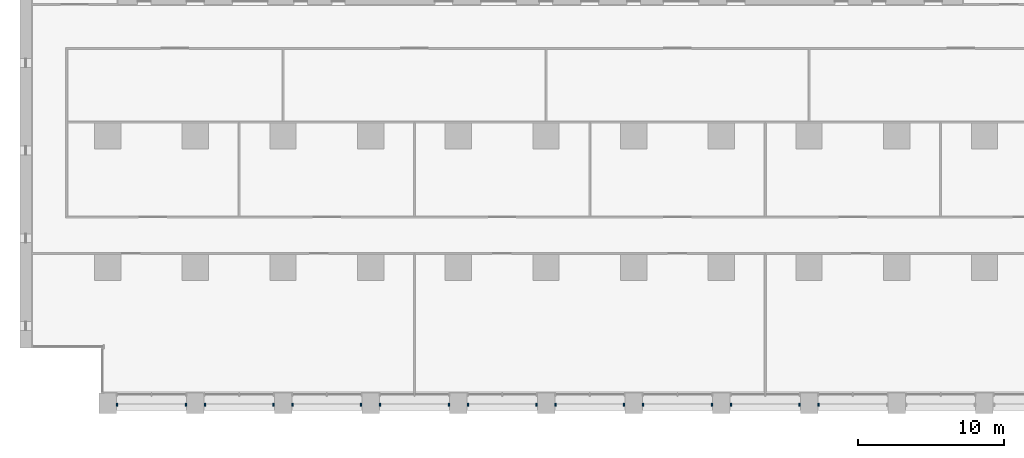
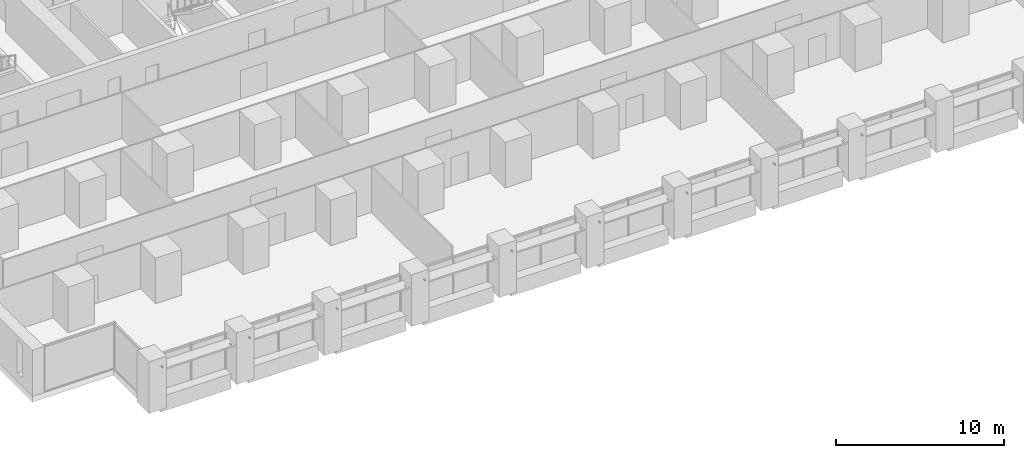
# One storey, part 15 of 18: 17 discrete accessories.
"""IFC4 building model written with IfcOpenShell, lengths in metres."""

import ifcopenshell
import ifcopenshell.guid

model = None  # the IFC model being written
_history = None  # IfcOwnerHistory: only IFC2X3 demands one
_inside = {}  # id of a spatial element -> (the spatial element, [elements in it])
_under = {}  # id of a project, library or spatial element -> (it, [spatial elements below it])
_declared = {}  # id of a project -> (the project, [libraries it declares])
_typed = {}  # id of a type object -> (the type object, [elements of that type])
_made_of = {}  # id of a material, layer set ... -> (it, [elements and type objects made of it])


def new_model(schema):
    """Start an empty IFC model of exactly this schema.

    Asked for "IFC4X3", IfcOpenShell would pick the latest addendum, in which some entities
    have other attributes; the version numbers below select the first issue.
    IFC2X3 requires an IfcOwnerHistory on every rooted entity: one is made here for all.
    """
    global model, _history
    if schema == "IFC4X3":
        model = ifcopenshell.file(schema_version=(4, 3, 0, 0))
    else:
        model = ifcopenshell.file(schema=schema)
    _inside.clear()
    _under.clear()
    _declared.clear()
    _typed.clear()
    _made_of.clear()
    _history = None
    if model.schema == "IFC2X3":
        org = make("IfcOrganization", Name="unknown")
        user = make(
            "IfcPersonAndOrganization",
            ThePerson=make("IfcPerson", FamilyName="unknown"),
            TheOrganization=org,
        )
        app = make(
            "IfcApplication",
            ApplicationDeveloper=org,
            Version="unknown",
            ApplicationFullName="unknown",
            ApplicationIdentifier="unknown",
        )
        _history = make(
            "IfcOwnerHistory",
            OwningUser=user,
            OwningApplication=app,
            ChangeAction="ADDED",
            CreationDate=0,
        )
    return model


def make(cls, **values):
    """One entity of the class cls with the attributes given. An attribute that is None is left unset."""
    return model.create_entity(
        cls, **{name: value for name, value in values.items() if value is not None}
    )


def rooted(cls, **values):
    """An entity with a GlobalId (a new one), such as an element, a storey or a relation."""
    return make(cls, GlobalId=ifcopenshell.guid.new(), OwnerHistory=_history, **values)


def si_unit(unit_type, name, prefix=None):
    """IfcSIUnit, for example si_unit("LENGTHUNIT", "METRE", prefix="MILLI")."""
    return make("IfcSIUnit", UnitType=unit_type, Prefix=prefix, Name=name)


def assignment(units):
    """IfcUnitAssignment: the units of a project."""
    return None if units is None else make("IfcUnitAssignment", Units=units)


def point(xyz):
    """IfcCartesianPoint."""
    return None if xyz is None else make("IfcCartesianPoint", Coordinates=xyz)


def direction(xyz):
    """IfcDirection."""
    return None if xyz is None else make("IfcDirection", DirectionRatios=xyz)


def frame(location, z_axis=None, x_axis=None):
    """IfcAxis2Placement3D, a coordinate frame: its origin and axes. An axis left out is left unset."""
    return make(
        "IfcAxis2Placement3D",
        Location=point(location),
        Axis=direction(z_axis),
        RefDirection=direction(x_axis),
    )


def frame_2d(location, x_axis=None):
    """IfcAxis2Placement2D, a coordinate frame in the plane: its origin and x axis."""
    return make(
        "IfcAxis2Placement2D", Location=point(location), RefDirection=direction(x_axis)
    )


def origin():
    """The frame at (0, 0, 0) with its axes left unset."""
    return frame((0.0, 0.0, 0.0))


def origin_2d():
    """The frame at (0, 0) in the plane with its x axis left unset."""
    return frame_2d((0.0, 0.0))


def place(relative_to, where):
    """IfcLocalPlacement: puts the frame where relative to a parent placement (None: the world)."""
    return make(
        "IfcLocalPlacement", PlacementRelTo=relative_to, RelativePlacement=where
    )


def context(
    kind, dimensions, precision=None, world=None, true_north=None, identifier=None
):
    """IfcGeometricRepresentationContext, for example the 3D "Model" context."""
    return make(
        "IfcGeometricRepresentationContext",
        ContextIdentifier=identifier,
        ContextType=kind,
        CoordinateSpaceDimension=dimensions,
        Precision=precision,
        WorldCoordinateSystem=world,
        TrueNorth=true_north,
    )


def subcontext(parent, identifier, kind, view, scale=None):
    """IfcGeometricRepresentationSubContext, for example "Body" below "Model"."""
    return make(
        "IfcGeometricRepresentationSubContext",
        ContextIdentifier=identifier,
        ContextType=kind,
        ParentContext=parent,
        TargetScale=scale,
        TargetView=view,
    )


def project(units=None, contexts=None):
    """IfcProject with its units and contexts."""
    return rooted(
        "IfcProject",
        Name="project",
        RepresentationContexts=contexts,
        UnitsInContext=assignment(units),
    )


def spatial(cls, under=None, at=None, **own):
    """A site, building, storey or space (cls), placed at a placement, below another one or the project."""
    s = rooted(cls, ObjectPlacement=at, **own)
    if under is not None:
        _under.setdefault(under.id(), (under, []))[1].append(s)
    return s


def profile(cls, at=None, kind="AREA", **sizes):
    """A parametric profile (cls). Its sizes go by their IFC names, for example OverallWidth=200.0."""
    return make(cls, ProfileType=kind, Position=at, **sizes)


def rectangle(**sizes):
    """IfcRectangleProfileDef."""
    return profile("IfcRectangleProfileDef", **sizes)


def extrude(swept, where, along, depth):
    """IfcExtrudedAreaSolid: the profile swept, set in the frame where, extruded along a direction by depth."""
    return make(
        "IfcExtrudedAreaSolid",
        SweptArea=swept,
        Position=where,
        ExtrudedDirection=direction(along),
        Depth=depth,
    )


def shape(context_of_items, identifier, shape_type, items):
    """IfcShapeRepresentation: the items that make up one representation, for example the "Body"."""
    return make(
        "IfcShapeRepresentation",
        ContextOfItems=context_of_items,
        RepresentationIdentifier=identifier,
        RepresentationType=shape_type,
        Items=items,
    )


def made_of(thing, what):
    """Note that an element or type object is made of a material, layer set ...; save() writes the relation."""
    if what is not None:
        _made_of.setdefault(what.id(), (what, []))[1].append(thing)
    return thing


def element(
    cls,
    number,
    at=None,
    inside=None,
    cuts=None,
    type_object=None,
    material=None,
    context=None,
    identifier="Body",
    shape_type=None,
    held_by="IfcProductDefinitionShape",
    body=None,
    shapes=None,
    **own,
):
    """One element of the class cls, such as IfcWall. Its Tag is "e" and its number.

    at: its placement. inside: the storey or other place that contains it. cuts: it is an
    opening in that element (IfcRelVoidsElement). A single representation is given by context,
    identifier, shape_type and body (its items); several are given by shapes. held_by: the class
    of the entity that holds the representations. save() writes the other relations.
    """
    e = rooted(cls, Tag="e%d" % number, ObjectPlacement=at, **own)
    if body is not None:
        shapes = [shape(context, identifier, shape_type, body)]
    if shapes is not None:
        e.Representation = make(held_by, Representations=shapes)
    if inside is not None:
        _inside.setdefault(inside.id(), (inside, []))[1].append(e)
    if cuts is not None:
        rooted(
            "IfcRelVoidsElement", RelatingBuildingElement=cuts, RelatedOpeningElement=e
        )
    if type_object is not None:
        _typed.setdefault(type_object.id(), (type_object, []))[1].append(e)
    return made_of(e, material)


def aggregate(whole, parts):
    """IfcRelAggregates: a whole, such as a stair, and the parts it consists of."""
    return rooted("IfcRelAggregates", RelatingObject=whole, RelatedObjects=parts)


def save(model, path):
    """Write the relations noted so far, then the file.

    IfcRelAggregates (storeys below a building ...), IfcRelContainedInSpatialStructure (elements
    in a storey), IfcRelDefinesByType, IfcRelAssociatesMaterial and IfcRelDeclares: one each for
    every whole, place, type object, material and project.
    """
    for whole, parts in _under.values():
        aggregate(whole, parts)
    for where, things in _inside.values():
        rooted(
            "IfcRelContainedInSpatialStructure",
            RelatedElements=things,
            RelatingStructure=where,
        )
    for kind, things in _typed.values():
        rooted("IfcRelDefinesByType", RelatedObjects=things, RelatingType=kind)
    for what, things in _made_of.values():
        rooted("IfcRelAssociatesMaterial", RelatedObjects=things, RelatingMaterial=what)
    for by, libraries in _declared.values():
        rooted("IfcRelDeclares", RelatingContext=by, RelatedDefinitions=libraries)
    model.write(path)


model = new_model("IFC4")

# Units and contexts
model_context = context("Model", 3, precision=1e-05, world=origin(), true_north=direction((0.0, 1.0)))
body_context = subcontext(model_context, "Body", "Model", "MODEL_VIEW")
ifc_project = project(units=[si_unit("LENGTHUNIT", "METRE"), si_unit("AREAUNIT", "SQUARE_METRE"), si_unit("VOLUMEUNIT", "CUBIC_METRE"), si_unit("PLANEANGLEUNIT", "RADIAN"), si_unit("MASSUNIT", "GRAM", prefix="KILO")], contexts=[model_context])

# Site, building, storey
site_placement = place(None, origin())
site = spatial("IfcSite", under=ifc_project, at=site_placement, CompositionType="ELEMENT")
building_placement = place(site_placement, origin())
building = spatial("IfcBuilding", under=site, at=building_placement, Name="Calvaro Tower", CompositionType="ELEMENT")
storey_placement = place(building_placement, frame((0.0, 0.0, 33.75)))
storey = spatial("IfcBuildingStorey", under=building, at=storey_placement, Name="L07", CompositionType="ELEMENT", Elevation=33.75)

# Discrete accessories
for number, where, z_axis, x_axis, name in (
    (1, (6.64990234375, 0.60009765625, 2.14990234375), (0.0, 0.0, 1.0), (1.0, 0.0, 0.0), "Brise-soleil bracket"),
    (2, (11.35009765625, 0.60009765625, 2.14990234375), (0.0, 0.0, 1.0), (1.0, 0.0, 0.0), "Brise-soleil bracket"),
    (3, (12.64990234375, 0.60009765625, 2.14990234375), (0.0, 0.0, 1.0), (1.0, 0.0, 0.0), "Brise-soleil bracket"),
    (4, (17.35009765625, 0.60009765625, 2.14990234375), (0.0, 0.0, 1.0), (1.0, 0.0, 0.0), "Brise-soleil bracket"),
    (5, (18.64990234375, 0.60009765625, 2.14990234375), (0.0, 0.0, 1.0), (1.0, 0.0, 0.0), "Brise-soleil bracket"),
    (6, (23.35009765625, 0.60009765625, 2.14990234375), (0.0, 0.0, 1.0), (1.0, 0.0, 0.0), "Brise-soleil bracket"),
    (7, (24.64990234375, 0.60009765625, 2.14990234375), (0.0, 0.0, 1.0), (1.0, 0.0, 0.0), "Brise-soleil bracket"),
    (8, (29.35009765625, 0.60009765625, 2.14990234375), (0.0, 0.0, 1.0), (1.0, 0.0, 0.0), "Brise-soleil bracket"),
    (9, (30.64990234375, 0.60009765625, 2.14990234375), (0.0, 0.0, 1.0), (1.0, 0.0, 0.0), "Brise-soleil bracket"),
    (10, (35.35009765625, 0.60009765625, 2.14990234375), (0.0, 0.0, 1.0), (1.0, 0.0, 0.0), "Brise-soleil bracket"),
    (11, (36.64990234375, 0.60009765625, 2.14990234375), (0.0, 0.0, 1.0), (1.0, 0.0, 0.0), "Brise-soleil bracket"),
    (12, (41.35009765625, 0.60009765625, 2.14990234375), (0.0, 0.0, 1.0), (1.0, 0.0, 0.0), "Brise-soleil bracket"),
    (13, (42.64990234375, 0.60009765625, 2.14990234375), (0.0, 0.0, 1.0), (1.0, 0.0, 0.0), "Brise-soleil bracket"),
    (14, (47.35009765625, 0.60009765625, 2.14990234375), (0.0, 0.0, 1.0), (1.0, 0.0, 0.0), "Brise-soleil bracket"),
    (15, (48.64990234375, 0.60009765625, 2.14990234375), (0.0, 0.0, 1.0), (1.0, 0.0, 0.0), "Brise-soleil bracket"),
    (16, (53.35009765625, 0.60009765625, 2.14990234375), (0.0, 0.0, 1.0), (1.0, 0.0, 0.0), "Brise-soleil bracket"),
    (17, (54.64990234375, 0.60009765625, 2.14990234375), (0.0, 0.0, 1.0), (1.0, 0.0, 0.0), "Brise-soleil bracket"),
):
    element("IfcDiscreteAccessory", number, at=place(storey_placement, frame(where, z_axis=z_axis, x_axis=x_axis)), inside=storey, Name=name, PredefinedType="BRACKET", context=body_context, shape_type="SweptSolid", body=[
        extrude(rectangle(XDim=0.10009765625, YDim=0.199951171875, at=origin_2d()), origin(), (0.0, 0.0, 1.0), 0.10009765625),
    ])

save(model, "model.ifc")
